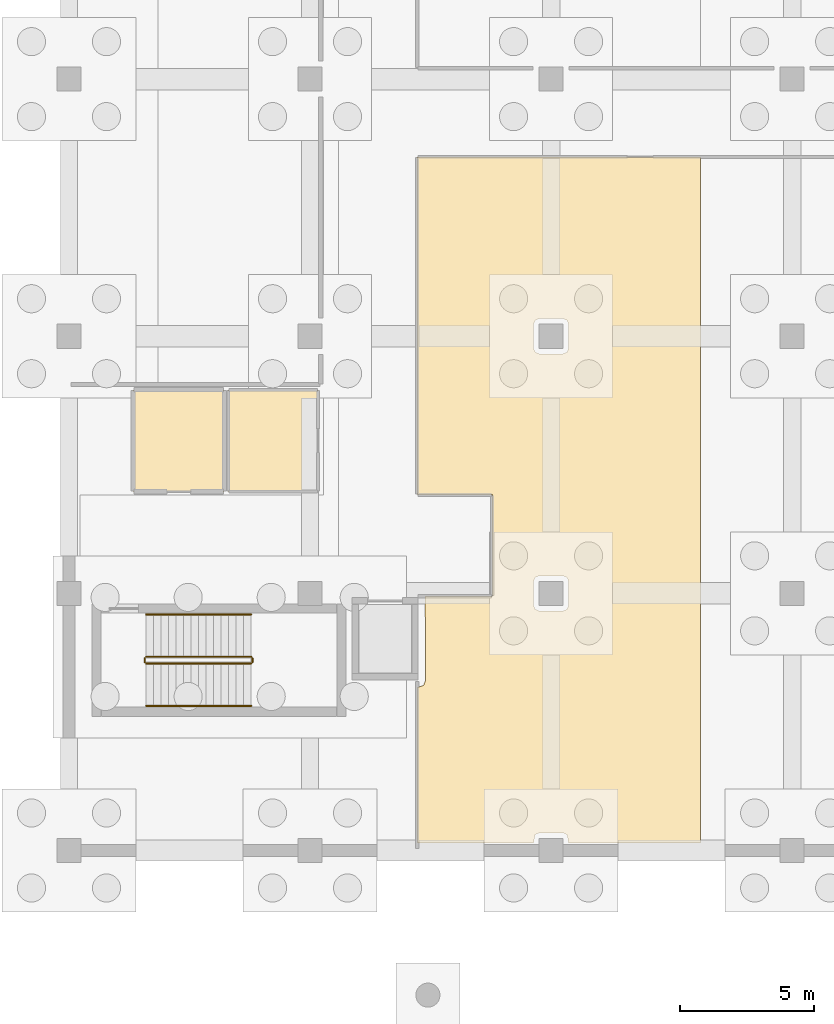
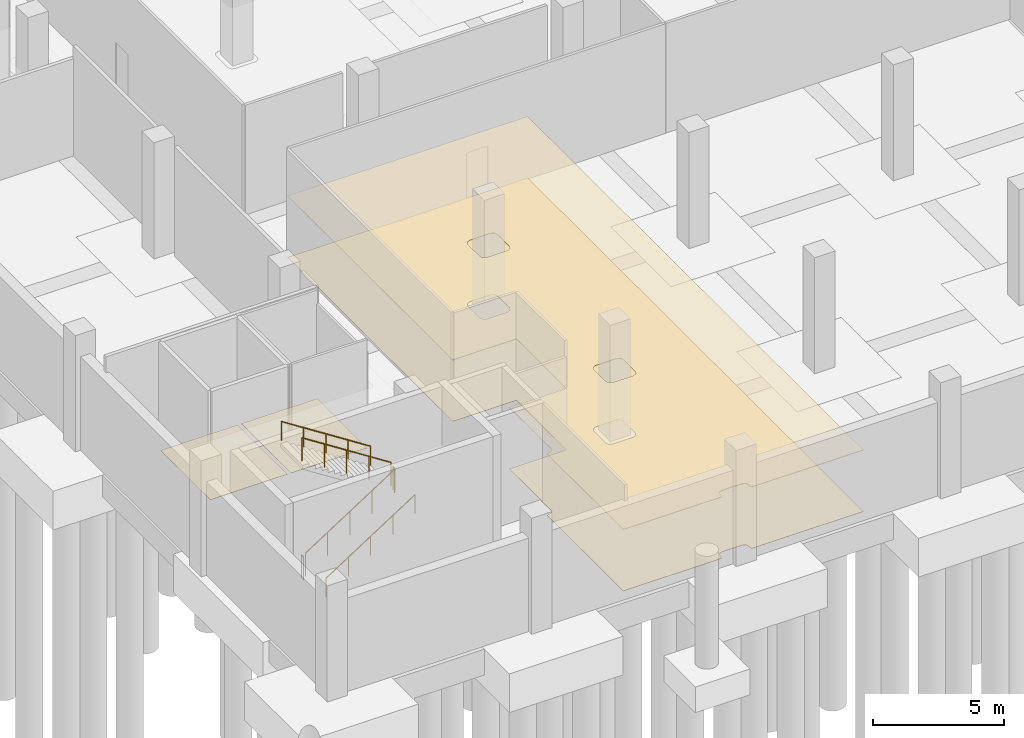
# One storey, part 19 of 22: 6 railings, 4 coverings.
"""IFC4 building model written with IfcOpenShell, lengths in metres."""

from ifc_helpers import new_model, si_unit, direction, frame, origin, origin_2d, place, context, subcontext, project, spatial, polyline, circle, outline, extrude, material, layer, layer_set, type_object, element, save


model = new_model("IFC4")

# Units and contexts
model_context = context("Model", 3, precision=1e-05, world=origin(), true_north=direction((0.0, 1.0)))
body_context = subcontext(model_context, "Body", "Model", "MODEL_VIEW")
ifc_project = project(units=[si_unit("LENGTHUNIT", "METRE"), si_unit("AREAUNIT", "SQUARE_METRE"), si_unit("VOLUMEUNIT", "CUBIC_METRE"), si_unit("PLANEANGLEUNIT", "RADIAN"), si_unit("MASSUNIT", "GRAM", prefix="KILO")], contexts=[model_context])

# Site, building, storey
site_placement = place(None, origin())
site = spatial("IfcSite", under=ifc_project, at=site_placement, CompositionType="ELEMENT")
building_placement = place(site_placement, origin())
building = spatial("IfcBuilding", under=site, at=building_placement, Name="Qorvath Tower", CompositionType="ELEMENT")
storey_placement = place(building_placement, frame((0.0, 0.0, -5.39990234375)))
storey = spatial("IfcBuildingStorey", under=building, at=storey_placement, Name="B01", CompositionType="ELEMENT", Elevation=-5.39990234375)

# Coverings
ifc_material_1 = material(Name="Acoustic mineral fibre ceiling tile", Category="gypsum")
ifc_layer_1 = layer(ifc_material_1, 0.030029296875)
ifc_layer_set_1 = layer_set([ifc_layer_1], Name="COV-CEIL")
covering_type_1 = type_object("IfcCoveringType", Name="COV-CEIL", PredefinedType="CEILING", material=ifc_layer_set_1)
covering_1_placement = place(storey_placement, frame((0.0, 0.0, 2.849853515625)))
element("IfcCovering", 1, at=covering_1_placement, inside=storey, type_object=covering_type_1, Name="B01 Suspended Acoustic Ceiling 008", PredefinedType="CEILING", context=body_context, shape_type="SweptSolid", body=[
    extrude(outline(polyline([(55.97509765625, -38.114990234375), (55.97509765625, -12.512939453125), (45.4130859375, -12.512939453125), (45.4130859375, -25.10693359375), (48.21142578125, -25.1083984375), (48.212890625, -28.907958984375), (45.69873046875, -28.9130859375), (45.7099609375, -32.06005859375), (45.63671875, -32.23681640625), (45.405029296875, -32.31005859375), (45.405029296875, -38.114990234375), (49.7451171875, -38.114990234375), (49.803955078125, -37.806640625), (49.947998046875, -37.745361328125), (50.85009765625, -37.7451171875), (50.99609375, -37.806640625), (51.054931640625, -38.114990234375), (55.97509765625, -38.114990234375)]), holes=[polyline([(50.99609375, -28.206787109375), (51.054931640625, -28.35009765625), (51.054931640625, -29.25), (50.993408203125, -29.39599609375), (50.85009765625, -29.455078125), (49.949951171875, -29.455078125), (49.803955078125, -29.393310546875), (49.7451171875, -29.25), (49.7451171875, -28.35009765625), (49.806640625, -28.203857421875), (49.949951171875, -28.14501953125), (50.85009765625, -28.14501953125), (50.99609375, -28.206787109375)]), polyline([(50.99609375, -18.606689453125), (51.054931640625, -18.75), (51.054931640625, -19.64990234375), (50.993408203125, -19.796142578125), (50.85009765625, -19.85498046875), (49.949951171875, -19.85498046875), (49.803955078125, -19.793212890625), (49.7451171875, -19.64990234375), (49.7451171875, -18.75), (49.806640625, -18.60400390625), (49.949951171875, -18.544921875), (50.85009765625, -18.544921875), (50.99609375, -18.606689453125)])]), origin(), (0.0, 0.0, 1.0), 0.030029296875),
])
ifc_material_2 = material(Name="Polished epoxy terrazzo flooring", Category="concrete")
ifc_layer_2 = layer(ifc_material_2, 0.02001953125)
ifc_layer_set_2 = layer_set([ifc_layer_2], Name="COV-FLOOR-TRZ")
covering_type_2 = type_object("IfcCoveringType", Name="COV-FLOOR-TRZ", PredefinedType="FLOORING", material=ifc_layer_set_2)
covering_2_placement = place(storey_placement, origin())
element("IfcCovering", 2, at=covering_2_placement, inside=storey, type_object=covering_type_2, Name="B01 Floor Finish 003", PredefinedType="FLOORING", context=body_context, shape_type="SweptSolid", body=[
    extrude(outline(polyline([(41.695068359375, -21.205078125), (38.35498046875, -21.205078125), (38.35498046875, -24.9951171875), (41.695068359375, -24.9951171875), (41.695068359375, -21.205078125)])), origin(), (0.0, 0.0, 1.0), 0.014892578125),
])
covering_3_placement = place(storey_placement, origin())
element("IfcCovering", 3, at=covering_3_placement, inside=storey, type_object=covering_type_2, Name="B01 Floor Finish 004", PredefinedType="FLOORING", context=body_context, shape_type="SweptSolid", body=[
    extrude(outline(polyline([(38.195068359375, -21.205078125), (34.804931640625, -21.205078125), (34.804931640625, -24.9951171875), (38.195068359375, -24.9951171875), (38.195068359375, -21.205078125)])), origin(), (0.0, 0.0, 1.0), 0.014892578125),
])
covering_4_placement = place(storey_placement, origin())
element("IfcCovering", 4, at=covering_4_placement, inside=storey, type_object=covering_type_2, Name="B01 Floor Finish 008", PredefinedType="FLOORING", context=body_context, shape_type="SweptSolid", body=[
    extrude(outline(polyline([(55.97509765625, -38.114990234375), (55.97509765625, -12.512939453125), (45.4130859375, -12.512939453125), (45.4130859375, -25.10693359375), (48.21142578125, -25.1083984375), (48.212890625, -28.907958984375), (45.69873046875, -28.9130859375), (45.7099609375, -32.06005859375), (45.63671875, -32.23681640625), (45.405029296875, -32.31005859375), (45.405029296875, -38.114990234375), (49.7451171875, -38.114990234375), (49.803955078125, -37.806640625), (49.947998046875, -37.745361328125), (50.85009765625, -37.7451171875), (50.99609375, -37.806640625), (51.054931640625, -38.114990234375), (55.97509765625, -38.114990234375)]), holes=[polyline([(50.99609375, -28.206787109375), (51.054931640625, -28.35009765625), (51.054931640625, -29.25), (50.993408203125, -29.39599609375), (50.85009765625, -29.455078125), (49.949951171875, -29.455078125), (49.803955078125, -29.393310546875), (49.7451171875, -29.25), (49.7451171875, -28.35009765625), (49.806640625, -28.203857421875), (49.949951171875, -28.14501953125), (50.85009765625, -28.14501953125), (50.99609375, -28.206787109375)]), polyline([(50.99609375, -18.606689453125), (51.054931640625, -18.75), (51.054931640625, -19.64990234375), (50.993408203125, -19.796142578125), (50.85009765625, -19.85498046875), (49.949951171875, -19.85498046875), (49.803955078125, -19.793212890625), (49.7451171875, -19.64990234375), (49.7451171875, -18.75), (49.806640625, -18.60400390625), (49.949951171875, -18.544921875), (50.85009765625, -18.544921875), (50.99609375, -18.606689453125)])]), origin(), (0.0, 0.0, 1.0), 0.014892578125),
])

# Railings
ifc_material_3 = material(Name="Painted galvanised steel", Category="steel")
railing_type_1 = type_object("IfcRailingType", Name="RL-STR-GRD", PredefinedType="GUARDRAIL", material=ifc_material_3)
railing_1_placement = place(storey_placement, frame((35.280029296875, -31.419921875, 0.179931640625)))
element("IfcRailing", 5, at=railing_1_placement, inside=storey, type_object=railing_type_1, Name="B01 LS2 stair guard 1", PredefinedType="GUARDRAIL", context=body_context, shape_type="SweptSolid", body=[
    extrude(circle(Radius=0.02392578125, at=origin_2d()), frame((0.0, 0.0, 1.076171875), z_axis=(0.841171666519, 0.0, 0.540768182723), x_axis=(0.0, 1.0, 0.0)), (0.0, 0.0, 1.0), 4.66015625),
    extrude(circle(Radius=0.02099609375, at=origin_2d()), origin(), (0.0, 0.0, 1.0), 1.052001953125),
    extrude(circle(Radius=0.02099609375, at=origin_2d()), frame((0.97998046875, 0.0, 0.6298828125)), (0.0, 0.0, 1.0), 1.052001953125),
    extrude(circle(Radius=0.02099609375, at=origin_2d()), frame((1.9599609375, 0.0, 1.260009765625)), (0.0, 0.0, 1.0), 1.052001953125),
    extrude(circle(Radius=0.02099609375, at=origin_2d()), frame((2.93994140625, 0.0, 1.89013671875)), (0.0, 0.0, 1.0), 1.052001953125),
    extrude(circle(Radius=0.02099609375, at=origin_2d()), frame((3.919921875, 0.0, 2.52001953125)), (0.0, 0.0, 1.0), 1.052001953125),
])
railing_2_placement = place(storey_placement, frame((39.25, -31.3701171875, 2.699951171875)))
element("IfcRailing", 6, at=railing_2_placement, inside=storey, type_object=railing_type_1, Name="B01 LS2 stair guard 2", PredefinedType="GUARDRAIL", context=body_context, shape_type="SweptSolid", body=[
    extrude(circle(Radius=0.02392578125, at=origin_2d()), frame((0.0, 0.0, 1.076171875), z_axis=(0.0, 1.0, 0.0), x_axis=(-1.0, 0.0, 0.0)), (0.0, 0.0, 1.0), 0.150146484375),
    extrude(circle(Radius=0.02099609375, at=origin_2d()), origin(), (0.0, 0.0, 1.0), 1.052001953125),
    extrude(circle(Radius=0.02099609375, at=origin_2d()), frame((0.0, 0.150146484375, 0.0)), (0.0, 0.0, 1.0), 1.052001953125),
])
railing_3_placement = place(storey_placement, frame((39.199951171875, -31.169921875, 2.8798828125)))
element("IfcRailing", 7, at=railing_3_placement, inside=storey, type_object=railing_type_1, Name="B01 LS2 stair guard 3", PredefinedType="GUARDRAIL", context=body_context, shape_type="SweptSolid", body=[
    extrude(circle(Radius=0.02392578125, at=origin_2d()), frame((0.0, 0.0, 1.076171875), z_axis=(-0.841171666519, 0.0, 0.540768182723), x_axis=(0.0, -1.0, 0.0)), (0.0, 0.0, 1.0), 4.66015625),
    extrude(circle(Radius=0.02099609375, at=origin_2d()), origin(), (0.0, 0.0, 1.0), 1.052001953125),
    extrude(circle(Radius=0.02099609375, at=origin_2d()), frame((-0.97998046875, 0.0, 0.6298828125)), (0.0, 0.0, 1.0), 1.052001953125),
    extrude(circle(Radius=0.02099609375, at=origin_2d()), frame((-1.9599609375, 0.0, 1.260009765625)), (0.0, 0.0, 1.0), 1.052001953125),
    extrude(circle(Radius=0.02099609375, at=origin_2d()), frame((-2.93994140625, 0.0, 1.89013671875)), (0.0, 0.0, 1.0), 1.052001953125),
    extrude(circle(Radius=0.02099609375, at=origin_2d()), frame((-3.919921875, 0.0, 2.52001953125)), (0.0, 0.0, 1.0), 1.052001953125),
])
railing_4_placement = place(storey_placement, frame((35.22998046875, -31.3701171875, 0.0)))
element("IfcRailing", 8, at=railing_4_placement, inside=storey, type_object=railing_type_1, Name="B01 LS2 stair guard 4", PredefinedType="GUARDRAIL", context=body_context, shape_type="SweptSolid", body=[
    extrude(circle(Radius=0.02392578125, at=origin_2d()), frame((0.0, 0.0, 1.076171875), z_axis=(0.0, 1.0, 0.0), x_axis=(-1.0, 0.0, 0.0)), (0.0, 0.0, 1.0), 0.150146484375),
    extrude(circle(Radius=0.02099609375, at=origin_2d()), origin(), (0.0, 0.0, 1.0), 1.052001953125),
    extrude(circle(Radius=0.02099609375, at=origin_2d()), frame((0.0, 0.150146484375, 0.0)), (0.0, 0.0, 1.0), 1.052001953125),
])
ifc_material_4 = material(Name="Brushed stainless steel AISI 304", Category="steel")
railing_type_2 = type_object("IfcRailingType", Name="RL-STR-HND", PredefinedType="HANDRAIL", material=ifc_material_4)
railing_5_placement = place(storey_placement, frame((35.280029296875, -33.0, 0.179931640625)))
element("IfcRailing", 9, at=railing_5_placement, inside=storey, type_object=railing_type_2, Name="B01 LS2 stair handrail 1", PredefinedType="HANDRAIL", context=body_context, shape_type="SweptSolid", body=[
    extrude(circle(Radius=0.02392578125, at=origin_2d()), frame((0.0, 0.0, 0.8759765625), z_axis=(0.841171666519, 0.0, 0.540768182723), x_axis=(0.0, 1.0, 0.0)), (0.0, 0.0, 1.0), 4.66015625),
    extrude(circle(Radius=0.02099609375, at=origin_2d()), origin(), (0.0, 0.0, 1.0), 0.851806640625),
    extrude(circle(Radius=0.02099609375, at=origin_2d()), frame((0.97998046875, 0.0, 0.6298828125)), (0.0, 0.0, 1.0), 0.851806640625),
    extrude(circle(Radius=0.02099609375, at=origin_2d()), frame((1.9599609375, 0.0, 1.260009765625)), (0.0, 0.0, 1.0), 0.851806640625),
    extrude(circle(Radius=0.02099609375, at=origin_2d()), frame((2.93994140625, 0.0, 1.89013671875)), (0.0, 0.0, 1.0), 0.851806640625),
    extrude(circle(Radius=0.02099609375, at=origin_2d()), frame((3.919921875, 0.0, 2.52001953125)), (0.0, 0.0, 1.0), 0.851806640625),
])
railing_6_placement = place(storey_placement, frame((39.199951171875, -29.590087890625, 2.8798828125)))
element("IfcRailing", 10, at=railing_6_placement, inside=storey, type_object=railing_type_2, Name="B01 LS2 stair handrail 2", PredefinedType="HANDRAIL", context=body_context, shape_type="SweptSolid", body=[
    extrude(circle(Radius=0.02392578125, at=origin_2d()), frame((0.0, 0.0, 0.8759765625), z_axis=(-0.841171666519, 0.0, 0.540768182723), x_axis=(0.0, -1.0, 0.0)), (0.0, 0.0, 1.0), 4.66015625),
    extrude(circle(Radius=0.02099609375, at=origin_2d()), origin(), (0.0, 0.0, 1.0), 0.851806640625),
    extrude(circle(Radius=0.02099609375, at=origin_2d()), frame((-0.97998046875, 0.0, 0.6298828125)), (0.0, 0.0, 1.0), 0.851806640625),
    extrude(circle(Radius=0.02099609375, at=origin_2d()), frame((-1.9599609375, 0.0, 1.260009765625)), (0.0, 0.0, 1.0), 0.851806640625),
    extrude(circle(Radius=0.02099609375, at=origin_2d()), frame((-2.93994140625, 0.0, 1.89013671875)), (0.0, 0.0, 1.0), 0.851806640625),
    extrude(circle(Radius=0.02099609375, at=origin_2d()), frame((-3.919921875, 0.0, 2.52001953125)), (0.0, 0.0, 1.0), 0.851806640625),
])

save(model, "model.ifc")
